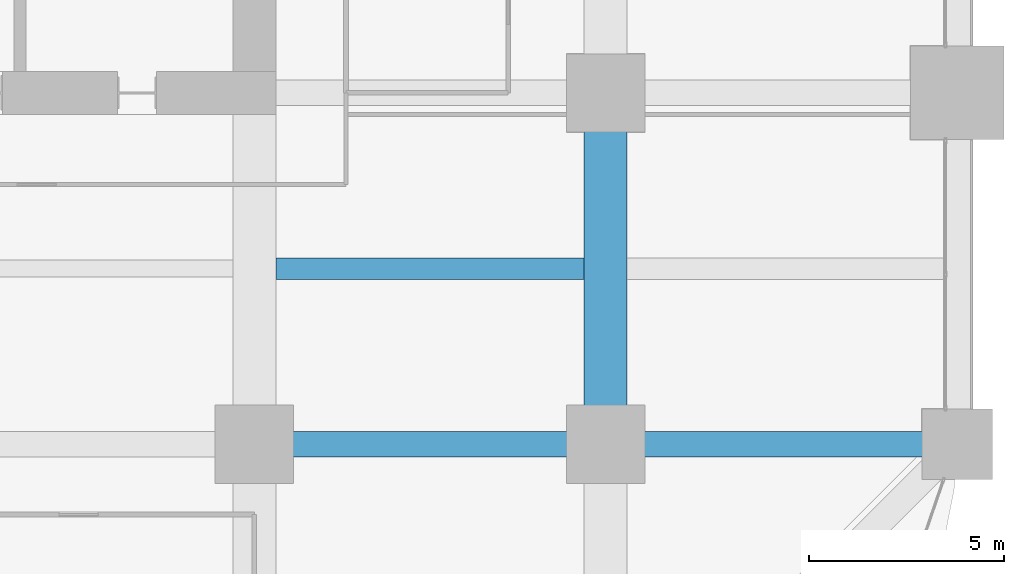
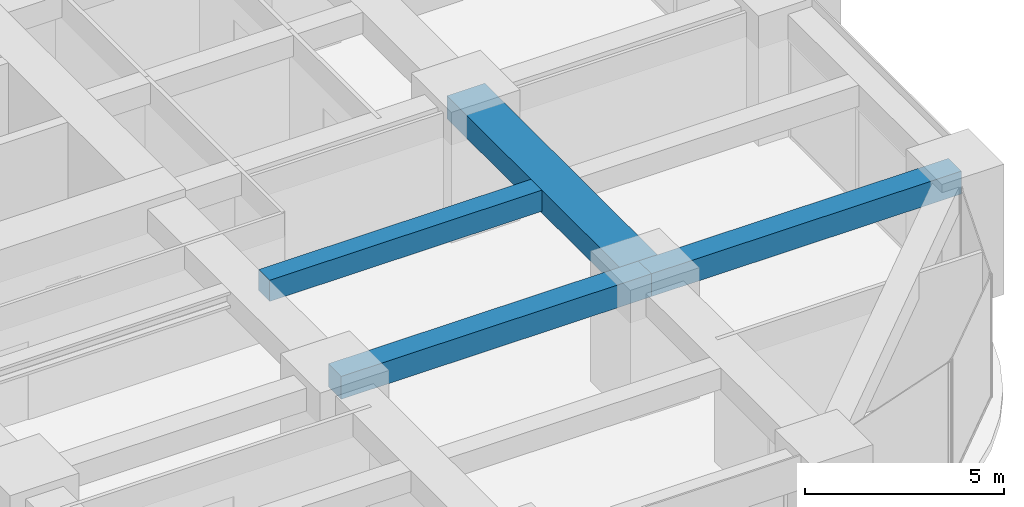
# One storey, part 18 of 39: 4 beams.
"""IFC4 building model written with IfcOpenShell, lengths in metres."""

from ifc_helpers import new_model, si_unit, direction, frame, origin, origin_2d, place, context, subcontext, project, spatial, rectangle, extrude, material, material_profile, profile_set, type_object, element, save


model = new_model("IFC4")

# Units and contexts
model_context = context("Model", 3, precision=1e-05, world=origin(), true_north=direction((0.0, 1.0)))
body_context = subcontext(model_context, "Body", "Model", "MODEL_VIEW")
ifc_project = project(units=[si_unit("LENGTHUNIT", "METRE"), si_unit("AREAUNIT", "SQUARE_METRE"), si_unit("VOLUMEUNIT", "CUBIC_METRE"), si_unit("PLANEANGLEUNIT", "RADIAN"), si_unit("MASSUNIT", "GRAM", prefix="KILO")], contexts=[model_context])

# Site, building, storey
site_placement = place(None, origin())
site = spatial("IfcSite", under=ifc_project, at=site_placement, CompositionType="ELEMENT")
building_placement = place(site_placement, origin())
building = spatial("IfcBuilding", under=site, at=building_placement, Name="Zorevar Civic Tower", CompositionType="ELEMENT")
storey_placement = place(building_placement, frame((0.0, 0.0, 117.0)))
storey = spatial("IfcBuildingStorey", under=building, at=storey_placement, Name="L28", CompositionType="ELEMENT", Elevation=117.0)

# Beams
ifc_material_1 = material(Name="Concrete C50/60", Category="concrete")
ifc_material_profile_1 = material_profile(ifc_material_1, rectangle(XDim=1.10009765625, YDim=0.699951171875, at=origin_2d()), Name="RC 1100x700")
ifc_profile_set_1 = profile_set([ifc_material_profile_1], Name="Concrete C50/60")
beam_type_1 = type_object("IfcBeamType", Name="Beam RC 1100x700", PredefinedType="BEAM", material=ifc_profile_set_1)
beam_1_placement = place(storey_placement, frame((54.0, 9.0, 3.39990234375), z_axis=(0.0, 1.0, 0.0), x_axis=(-1.0, 0.0, 0.0)))
element("IfcBeam", 1, at=beam_1_placement, inside=storey, type_object=beam_type_1, Name="Girder L29", PredefinedType="BEAM", context=body_context, shape_type="SweptSolid", body=[
    extrude(rectangle(XDim=1.10009765625, YDim=0.699951171875, at=origin_2d()), origin(), (0.0, 0.0, 1.0), 9.0),
])
ifc_material_2 = material(Name="Concrete C50/60", Category="concrete")
ifc_material_profile_2 = material_profile(ifc_material_2, rectangle(XDim=0.550048828125, YDim=0.64990234375, at=origin_2d()), Name="RC 550x650")
ifc_profile_set_2 = profile_set([ifc_material_profile_2], Name="Concrete C50/60")
beam_type_2 = type_object("IfcBeamType", Name="Beam RC 550x650", PredefinedType="BEAM", material=ifc_profile_set_2)
beam_2_placement = place(storey_placement, frame((45.550048828125, 13.5, 3.425048828125), z_axis=(1.0, 0.0, 0.0), x_axis=(0.0, 1.0, 0.0)))
element("IfcBeam", 2, at=beam_2_placement, inside=storey, type_object=beam_type_2, Name="Secondary beam L29", PredefinedType="BEAM", context=body_context, shape_type="SweptSolid", body=[
    extrude(rectangle(XDim=0.550048828125, YDim=0.64990234375, at=origin_2d()), origin(), (0.0, 0.0, 1.0), 7.89990234375),
])
ifc_material_3 = material(Name="Concrete C50/60", Category="concrete")
ifc_material_profile_3 = material_profile(ifc_material_3, rectangle(XDim=0.64990234375, YDim=0.699951171875, at=origin_2d()), Name="RC 650x700")
ifc_profile_set_3 = profile_set([ifc_material_profile_3], Name="Concrete C50/60")
beam_type_3 = type_object("IfcBeamType", Name="Beam RC 650x700", PredefinedType="BEAM", material=ifc_profile_set_3)
for number, where, z_axis, x_axis, name in (
    (3, (45.0, 9.0, 3.39990234375), (1.0, 0.0, 0.0), (0.0, 1.0, 0.0), "Girder L29"),
    (4, (54.0, 9.0, 3.39990234375), (1.0, 0.0, 0.0), (0.0, 1.0, 0.0), "Girder L29"),
):
    element("IfcBeam", number, at=place(storey_placement, frame(where, z_axis=z_axis, x_axis=x_axis)), inside=storey, type_object=beam_type_3, Name=name, PredefinedType="BEAM", context=body_context, shape_type="SweptSolid", body=[
        extrude(rectangle(XDim=0.64990234375, YDim=0.699951171875, at=origin_2d()), origin(), (0.0, 0.0, 1.0), 9.0),
    ])

save(model, "model.ifc")
